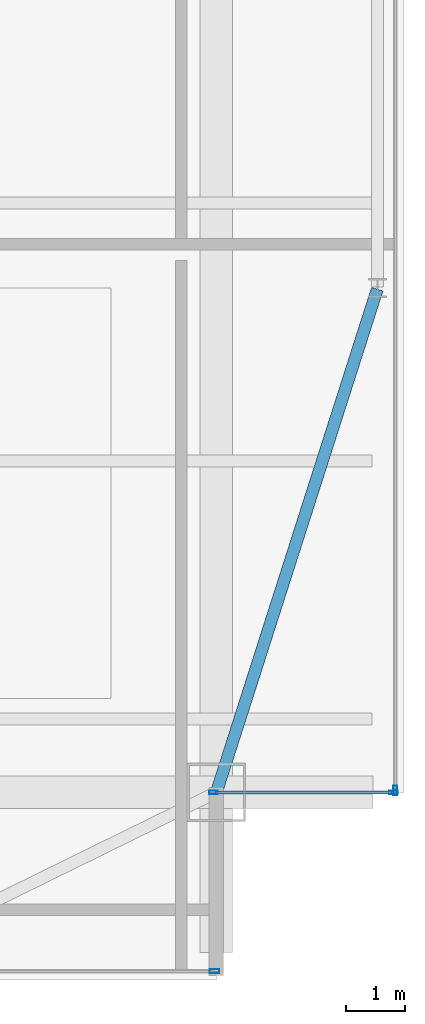
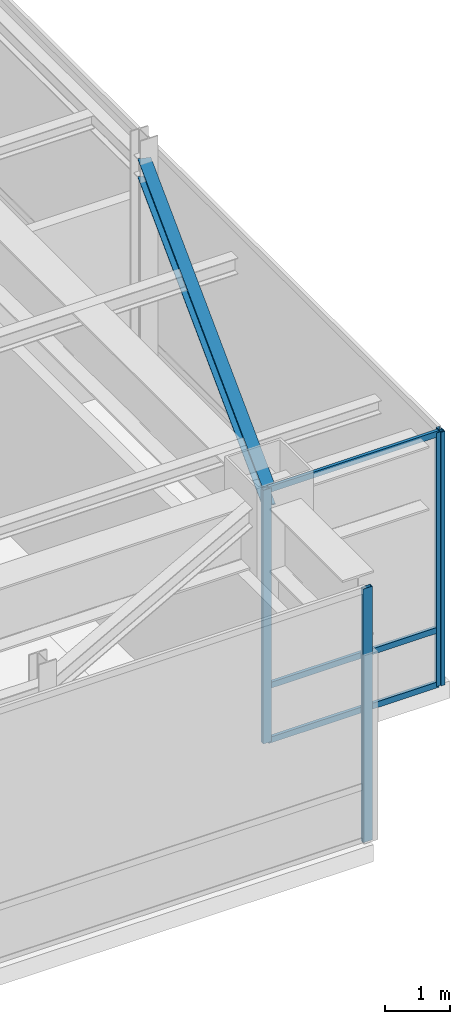
# One storey, part 14 of 20: 7 members, 1 beam, 3 elements without a shape of their own.
"""IFC4 building model written with IfcOpenShell, lengths in metres."""

from ifc_helpers import new_model, si_unit, direction, frame, origin, origin_2d, place, context, subcontext, project, spatial, hollow_rectangle, i_section, extrude, source, transform, mapped, material, layer, layer_set, material_profile, profile_set, type_object, type_shapes, element, aggregate, save


model = new_model("IFC4")

# Units and contexts
model_context = context("Model", 3, precision=1e-05, world=origin(), true_north=direction((0.0, 1.0)))
body_context = subcontext(model_context, "Body", "Model", "MODEL_VIEW")
ifc_project = project(units=[si_unit("LENGTHUNIT", "METRE"), si_unit("AREAUNIT", "SQUARE_METRE"), si_unit("VOLUMEUNIT", "CUBIC_METRE"), si_unit("PLANEANGLEUNIT", "RADIAN"), si_unit("MASSUNIT", "GRAM", prefix="KILO")], contexts=[model_context])

# Site, building, storey
site_placement = place(None, origin())
site = spatial("IfcSite", under=ifc_project, at=site_placement, CompositionType="ELEMENT")
building_placement = place(site_placement, origin())
building = spatial("IfcBuilding", under=site, at=building_placement, Name="Varnel Quay Broadcast Tower", CompositionType="ELEMENT")
storey_placement = place(building_placement, frame((0.0, 0.0, 314.60009765625)))
storey = spatial("IfcBuildingStorey", under=building, at=storey_placement, Name="L78", CompositionType="ELEMENT", Elevation=314.60009765625)

# Beam
ifc_material_1 = material(Name="Structural Steel CSA G40.21 350W", Category="steel")
ifc_material_profile_1 = material_profile(ifc_material_1, i_section(OverallWidth=0.205078125, OverallDepth=0.35400390625, WebThickness=0.009521484375, FlangeThickness=0.016845703125, FilletRadius=0.012939453125, at=origin_2d()), Name="W360X79")
ifc_profile_set_1 = profile_set([ifc_material_profile_1], Name="Structural Steel CSA G40.21 350W")
beam_type = type_object("IfcBeamType", Name="Beam_W360X79", PredefinedType="SPANDREL", material=ifc_profile_set_1)
shared_shape_1 = source(origin(), body_context, "Body", "SweptSolid", [
    extrude(i_section(OverallWidth=0.205078125, OverallDepth=0.35400390625, WebThickness=0.009521484375, FlangeThickness=0.016845703125, FilletRadius=0.012939453125, at=origin_2d()), origin(), (0.0, 0.0, 1.0), 8.989013671875),
])
type_shapes(beam_type, [shared_shape_1])
beam_placement = place(storey_placement, frame((52.80615234375, 16.4189453125, 4.572998046875), z_axis=(0.304568770162, 0.952490348635, 0.0), x_axis=(-0.952490348635, 0.304568770162, 0.0)))
element("IfcBeam", 1, at=beam_placement, inside=storey, type_object=beam_type, Name="L78 East Spandrel MC-SE-TC-E1", PredefinedType="SPANDREL", context=body_context, shape_type="MappedRepresentation", body=[
    mapped(shared_shape_1, transform((0.0, 0.0, 0.0), x_axis=(1.0, 0.0, 0.0), y_axis=(0.0, 1.0, 0.0), z_axis=(0.0, 0.0, 1.0), scale=1.0)),
])

# Curtain wall, members
ifc_material_2 = material(Name="Anodised Bronze Aluminium 6063-T6", Category="aluminium")
ifc_layer_1 = layer(ifc_material_2, 0.18994140625, Name="Anodised Bronze Aluminium 6063-T6")
ifc_layer_set_1 = layer_set([ifc_layer_1], Name="Anodised Bronze Aluminium 6063-T6")
curtain_wall_type_1 = type_object("IfcCurtainWallType", Name="CW_NotchCorner", PredefinedType="NOTDEFINED", material=ifc_layer_set_1)
curtain_wall_1_placement = place(storey_placement, origin())
curtain_wall_1 = element("IfcCurtainWall", 2, at=curtain_wall_1_placement, inside=storey, type_object=curtain_wall_type_1, Name="L78 SE Notch Curtain Wall", PredefinedType="NOTDEFINED")
ifc_material_profile_2 = material_profile(ifc_material_2, hollow_rectangle(XDim=0.054931640625, YDim=0.110107421875, WallThickness=0.0029296875, at=origin_2d()), Name="ALU55X110X3")
ifc_profile_set_2 = profile_set([ifc_material_profile_2], Name="Anodised Bronze Aluminium 6063-T6")
member_type_1 = type_object("IfcMemberType", Name="Tran_CWS-04", PredefinedType="USERDEFINED", material=ifc_profile_set_2)
shared_shape_2 = source(origin(), body_context, "Body", "SweptSolid", [
    extrude(hollow_rectangle(XDim=0.054931640625, YDim=0.110107421875, WallThickness=0.0029296875, at=origin_2d()), origin(), (0.0, 0.0, 1.0), 3.010009765625),
])
type_shapes(member_type_1, [shared_shape_2])
member_1_placement = place(storey_placement, frame((52.780029296875, 16.39990234375, 0.02734375), z_axis=(1.0, 0.0, 0.0), x_axis=(0.0, 1.0, 0.0)))
member_1 = element("IfcMember", 3, at=member_1_placement, type_object=member_type_1, Name="CWS-04 transom 1.1", ObjectType="TRANSOM", PredefinedType="USERDEFINED", context=body_context, shape_type="MappedRepresentation", body=[
    mapped(shared_shape_2, transform((0.0, 0.0, 0.0), x_axis=(1.0, 0.0, 0.0), y_axis=(0.0, 1.0, 0.0), z_axis=(0.0, 0.0, 1.0), scale=1.0)),
])
member_2_placement = place(storey_placement, frame((52.780029296875, 16.39990234375, 1.0498046875), z_axis=(1.0, 0.0, 0.0), x_axis=(0.0, 1.0, 0.0)))
member_2 = element("IfcMember", 4, at=member_2_placement, type_object=member_type_1, Name="CWS-04 transom 1.2", ObjectType="TRANSOM", PredefinedType="USERDEFINED", context=body_context, shape_type="MappedRepresentation", body=[
    mapped(shared_shape_2, transform((0.0, 0.0, 0.0), x_axis=(1.0, 0.0, 0.0), y_axis=(0.0, 1.0, 0.0), z_axis=(0.0, 0.0, 1.0), scale=1.0)),
])
member_3_placement = place(storey_placement, frame((52.780029296875, 16.39990234375, 4.722412109375), z_axis=(1.0, 0.0, 0.0), x_axis=(0.0, 1.0, 0.0)))
member_3 = element("IfcMember", 5, at=member_3_placement, type_object=member_type_1, Name="CWS-04 transom 1.3", ObjectType="TRANSOM", PredefinedType="USERDEFINED", context=body_context, shape_type="MappedRepresentation", body=[
    mapped(shared_shape_2, transform((0.0, 0.0, 0.0), x_axis=(1.0, 0.0, 0.0), y_axis=(0.0, 1.0, 0.0), z_axis=(0.0, 0.0, 1.0), scale=1.0)),
])

# Curtain wall, member
ifc_layer_2 = layer(ifc_material_2, 0.18994140625, Name="Anodised Bronze Aluminium 6063-T6")
ifc_layer_set_2 = layer_set([ifc_layer_2], Name="Anodised Bronze Aluminium 6063-T6")
curtain_wall_type_2 = type_object("IfcCurtainWallType", Name="CW_UpperTower", PredefinedType="NOTDEFINED", material=ifc_layer_set_2)
curtain_wall_2_placement = place(storey_placement, origin())
curtain_wall_2 = element("IfcCurtainWall", 6, at=curtain_wall_2_placement, inside=storey, type_object=curtain_wall_type_2, Name="L78 South Unitised Curtain Wall 1", PredefinedType="NOTDEFINED")
ifc_material_profile_3 = material_profile(ifc_material_2, hollow_rectangle(XDim=0.06494140625, YDim=0.1650390625, WallThickness=0.00341796875, at=origin_2d()), Name="ALU65X165X3.5")
ifc_profile_set_3 = profile_set([ifc_material_profile_3], Name="Anodised Bronze Aluminium 6063-T6")
member_type_2 = type_object("IfcMemberType", Name="Mull_CWS-03", PredefinedType="MULLION", material=ifc_profile_set_3)
shared_shape_3 = source(origin(), body_context, "Body", "SweptSolid", [
    extrude(hollow_rectangle(XDim=0.06494140625, YDim=0.1650390625, WallThickness=0.00341796875, at=origin_2d()), origin(), (0.0, 0.0, 1.0), 4.75),
])
type_shapes(member_type_2, [shared_shape_3])
member_4_placement = place(storey_placement, frame((52.767578125, 13.35009765625, 0.0), z_axis=(0.0, 0.0, 1.0), x_axis=(0.0, 1.0, 0.0)))
member_4 = element("IfcMember", 7, at=member_4_placement, type_object=member_type_2, Name="CWS-03 mullion 4", PredefinedType="MULLION", context=body_context, shape_type="MappedRepresentation", body=[
    mapped(shared_shape_3, transform((0.0, 0.0, 0.0), x_axis=(1.0, 0.0, 0.0), y_axis=(0.0, 1.0, 0.0), z_axis=(0.0, 0.0, 1.0), scale=1.0)),
])
aggregate(curtain_wall_2, [member_4])

curtain_wall_3_placement = place(storey_placement, origin())
curtain_wall_3 = element("IfcCurtainWall", 8, at=curtain_wall_3_placement, inside=storey, type_object=curtain_wall_type_2, Name="L78 East Unitised Curtain Wall", PredefinedType="NOTDEFINED")
member_5_placement = place(storey_placement, frame((55.85009765625, 16.4326171875, 0.0), z_axis=(0.0, 0.0, 1.0), x_axis=(-1.0, 0.0, 0.0)))
member_5 = element("IfcMember", 9, at=member_5_placement, type_object=member_type_2, Name="CWS-03 mullion 1", PredefinedType="MULLION", context=body_context, shape_type="MappedRepresentation", body=[
    mapped(shared_shape_3, transform((0.0, 0.0, 0.0), x_axis=(1.0, 0.0, 0.0), y_axis=(0.0, 1.0, 0.0), z_axis=(0.0, 0.0, 1.0), scale=1.0)),
])
aggregate(curtain_wall_3, [member_5])

# Member
ifc_material_profile_4 = material_profile(ifc_material_2, hollow_rectangle(XDim=0.06005859375, YDim=0.14501953125, WallThickness=0.00341796875, at=origin_2d()), Name="ALU60X145X3.5")
ifc_profile_set_4 = profile_set([ifc_material_profile_4], Name="Anodised Bronze Aluminium 6063-T6")
member_type_3 = type_object("IfcMemberType", Name="Mull_CWS-04", PredefinedType="MULLION", material=ifc_profile_set_4)
shared_shape_4 = source(origin(), body_context, "Body", "SweptSolid", [
    extrude(hollow_rectangle(XDim=0.06005859375, YDim=0.14501953125, WallThickness=0.00341796875, at=origin_2d()), origin(), (0.0, 0.0, 1.0), 4.75),
])
type_shapes(member_type_3, [shared_shape_4])
member_6_placement = place(storey_placement, frame((52.75, 16.39990234375, 0.0), z_axis=(0.0, 0.0, 1.0), x_axis=(0.0, 1.0, 0.0)))
member_6 = element("IfcMember", 10, at=member_6_placement, type_object=member_type_3, Name="CWS-04 mullion 1", PredefinedType="MULLION", context=body_context, shape_type="MappedRepresentation", body=[
    mapped(shared_shape_4, transform((0.0, 0.0, 0.0), x_axis=(1.0, 0.0, 0.0), y_axis=(0.0, 1.0, 0.0), z_axis=(0.0, 0.0, 1.0), scale=1.0)),
])

member_7_placement = place(storey_placement, frame((55.820068359375, 16.39990234375, 0.0), z_axis=(0.0, 0.0, 1.0), x_axis=(0.0, 1.0, 0.0)))
member_7 = element("IfcMember", 11, at=member_7_placement, type_object=member_type_3, Name="CWS-04 mullion 2", PredefinedType="MULLION", context=body_context, shape_type="MappedRepresentation", body=[
    mapped(shared_shape_4, transform((0.0, 0.0, 0.0), x_axis=(1.0, 0.0, 0.0), y_axis=(0.0, 1.0, 0.0), z_axis=(0.0, 0.0, 1.0), scale=1.0)),
])

aggregate(curtain_wall_1, [member_6, member_7, member_1, member_2, member_3])

save(model, "model.ifc")
